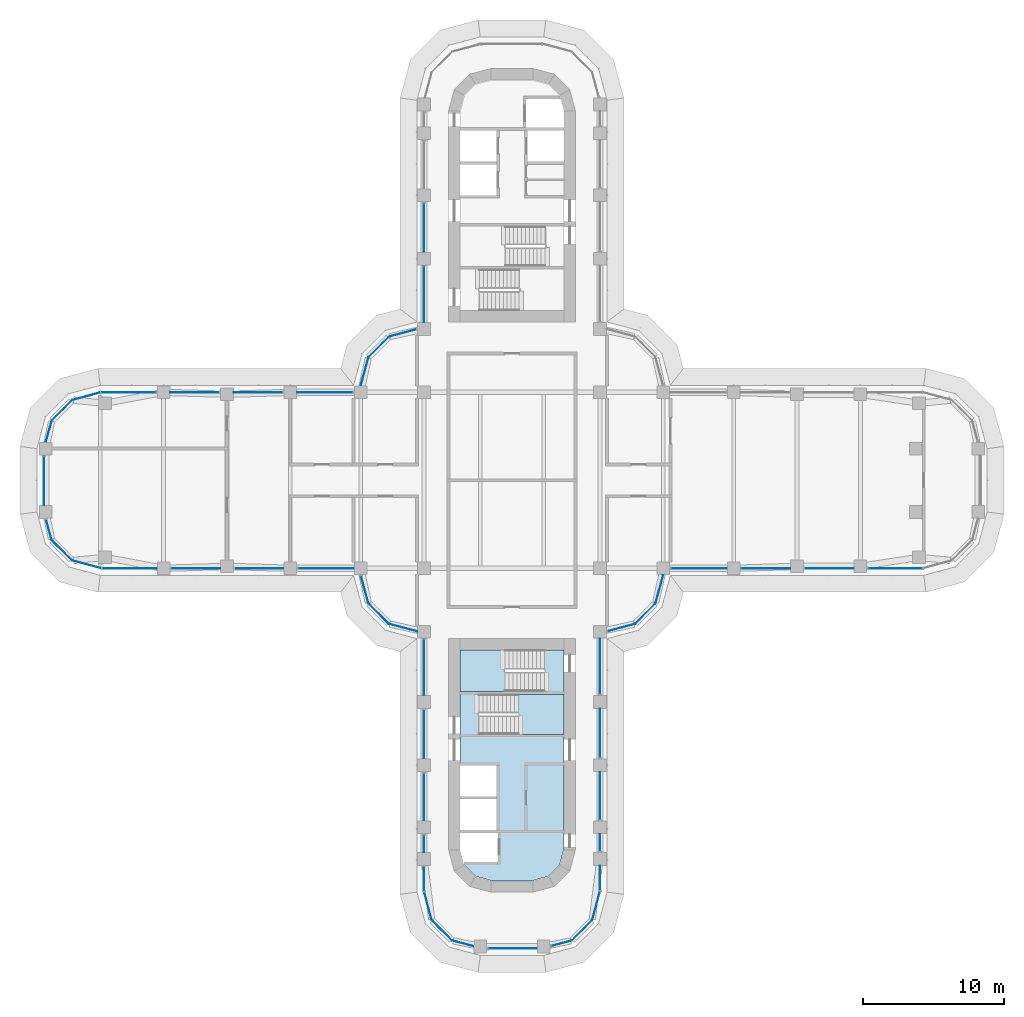
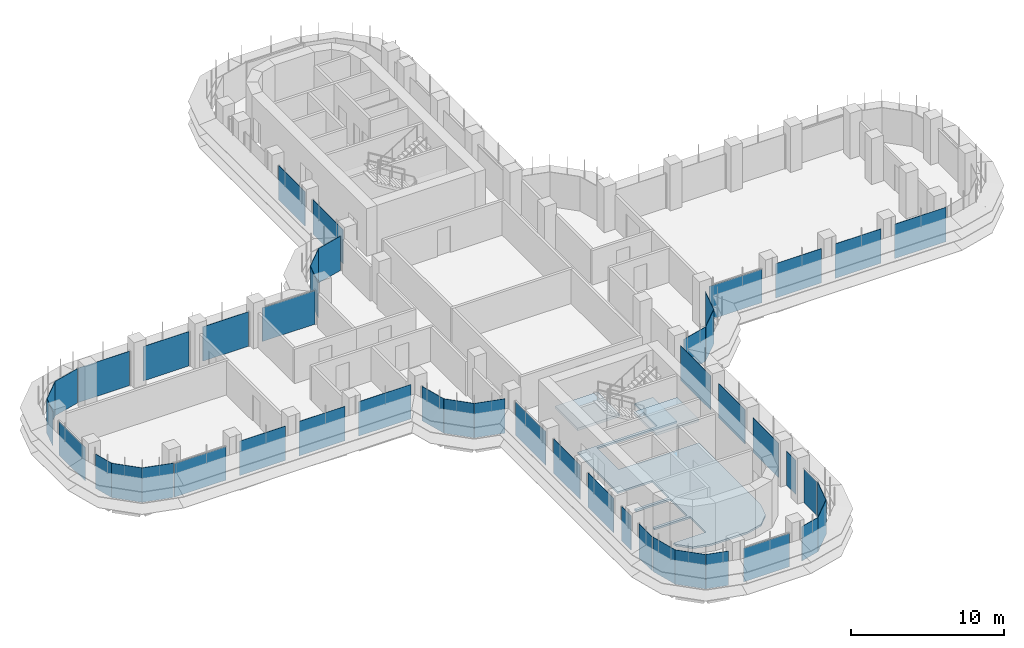
# One storey, part 12 of 21: 47 plates, 3 slabs, 31 elements without a shape of their own.
"""IFC4 building model written with IfcOpenShell, lengths in metres."""

from ifc_helpers import new_model, si_unit, direction, frame, origin, place, context, subcontext, project, spatial, polyline, outline, extrude, source, transform, mapped, material, layer, layer_set, type_object, element, aggregate, save


model = new_model("IFC4")

# Units and contexts
model_context = context("Model", 3, precision=1e-05, world=origin(), true_north=direction((0.0, 1.0)))
body_context = subcontext(model_context, "Body", "Model", "MODEL_VIEW")
ifc_project = project(units=[si_unit("LENGTHUNIT", "METRE"), si_unit("AREAUNIT", "SQUARE_METRE"), si_unit("VOLUMEUNIT", "CUBIC_METRE"), si_unit("PLANEANGLEUNIT", "RADIAN"), si_unit("MASSUNIT", "GRAM", prefix="KILO")], contexts=[model_context])

# Site, building, storey
site_placement = place(None, origin())
site = spatial("IfcSite", under=ifc_project, at=site_placement, CompositionType="ELEMENT")
building_placement = place(site_placement, origin())
building = spatial("IfcBuilding", under=site, at=building_placement, Name="Zarbagh Exchange Tower", CompositionType="ELEMENT")
storey_placement = place(building_placement, frame((0.0, 0.0, 117.0)))
storey = spatial("IfcBuildingStorey", under=building, at=storey_placement, Name="L27", CompositionType="ELEMENT", Elevation=117.0)

# Slab
ifc_material_1 = material(Name="Concrete C40/50", Category="concrete")
ifc_layer_1 = layer(ifc_material_1, 0.14990234375)
ifc_layer_set_1 = layer_set([ifc_layer_1], Name="Core floor slab 150 C40/50")
slab_type_1 = type_object("IfcSlabType", Name="Core floor slab 150 C40/50", PredefinedType="FLOOR", material=ifc_layer_set_1)
slab_1_placement = place(storey_placement, frame((0.0, 0.0, -0.14990234375)))
element("IfcSlab", 1, at=slab_1_placement, inside=storey, type_object=slab_type_1, Name="S17 core S", PredefinedType="FLOOR", context=body_context, shape_type="SweptSolid", body=[
    extrude(outline(polyline([(-2.5859375, -28.130859375), (-3.380859375, -27.3359375), (-3.646484375, -26.3447265625), (-3.444091796875, -27.10009765625), (-1.0, -27.10009765625), (-1.0, -25.050048828125), (-3.699951171875, -25.050048828125), (-3.699951171875, -24.85009765625), (-1.10009765625, -24.85009765625), (-1.10009765625, -22.64990234375), (-3.699951171875, -22.64990234375), (-3.699951171875, -22.449951171875), (-1.10009765625, -22.449951171875), (-1.10009765625, -20.25), (-3.699951171875, -20.25), (-3.699951171875, -15.0), (2.300048828125, -15.0), (2.300048828125, -12.050048828125), (3.699951171875, -12.050048828125), (3.699951171875, -15.199951171875), (-2.35009765625, -15.199951171875), (-2.35009765625, -18.050048828125), (3.699951171875, -18.050048828125), (3.699951171875, -26.144775390625), (3.380859375, -27.3359375), (2.5859375, -28.130859375), (1.394775390625, -28.449951171875), (-1.394775390625, -28.449951171875), (-2.5859375, -28.130859375)])), origin(), (0.0, 0.0, 1.0), 0.14990234375),
])

# Stair, slab
stair_type = type_object("IfcStairType", Name="Exit stair two-flight half-turn", PredefinedType="HALF_TURN_STAIR", material=ifc_material_1)
stair_1_placement = place(storey_placement, origin())
stair_1 = element("IfcStair", 2, at=stair_1_placement, inside=storey, type_object=stair_type, Name="exit stair ST3", PredefinedType="HALF_TURN_STAIR")
ifc_layer_2 = layer(ifc_material_1, 0.199951171875)
ifc_layer_set_2 = layer_set([ifc_layer_2], Name="Stair landing 200 mm")
slab_type_2 = type_object("IfcSlabType", Name="Stair landing 200 mm", PredefinedType="LANDING", material=ifc_layer_set_2)
slab_2_placement = place(storey_placement, frame((0.0, 0.0, 1.699951171875)))
slab_2 = element("IfcSlab", 3, at=slab_2_placement, type_object=slab_type_2, Name="ST3 landing 1", PredefinedType="LANDING", context=body_context, shape_type="SweptSolid", body=[
    extrude(outline(polyline([(0.449951171875, -18.050048828125), (3.699951171875, -18.050048828125), (3.699951171875, -15.199951171875), (0.449951171875, -15.199951171875), (0.449951171875, -18.050048828125)])), origin(), (0.0, 0.0, 1.0), 0.199951171875),
])
aggregate(stair_1, [slab_2])

stair_2_placement = place(storey_placement, origin())
stair_2 = element("IfcStair", 4, at=stair_2_placement, inside=storey, type_object=stair_type, Name="exit stair ST4", PredefinedType="HALF_TURN_STAIR")
slab_3_placement = place(storey_placement, frame((0.0, 0.0, 1.699951171875)))
slab_3 = element("IfcSlab", 5, at=slab_3_placement, type_object=slab_type_2, Name="ST4 landing 1", PredefinedType="LANDING", context=body_context, shape_type="SweptSolid", body=[
    extrude(outline(polyline([(-0.5, -12.050048828125), (-3.699951171875, -12.050048828125), (-3.699951171875, -15.0), (-0.5, -15.0), (-0.5, -12.050048828125)])), origin(), (0.0, 0.0, 1.0), 0.199951171875),
])
aggregate(stair_2, [slab_3])

# Curtain wall, plate
ifc_material_2 = material(Name="Anodised aluminium frame and glazing", Category="aluminium")
curtain_wall_type = type_object("IfcCurtainWallType", Name="CWA Ribbon glazing, lower zones", PredefinedType="NOTDEFINED", material=ifc_material_2)
curtain_wall_1_placement = place(storey_placement, origin())
curtain_wall_1 = element("IfcCurtainWall", 6, at=curtain_wall_1_placement, inside=storey, type_object=curtain_wall_type, Name="CWA01 curtain wall", PredefinedType="NOTDEFINED")
ifc_material_3 = material(Name="Low-e double glazed unit, 6+12+6 mm")
ifc_layer_3 = layer(ifc_material_3, 0.028076171875)
ifc_layer_set_3 = layer_set([ifc_layer_3], Name="PAA Glazing panel, Low-e double glazed unit, 6+12+6 mm")
plate_type = type_object("IfcPlateType", Name="PAA Glazing panel, Low-e double glazed unit, 6+12+6 mm", PredefinedType="CURTAIN_PANEL", material=ifc_layer_set_3)
shared_shape_1 = source(origin(), body_context, "Body", "SweptSolid", [
    extrude(outline(polyline([(0.0, -0.013916015625), (1.494140625, -0.013916015625), (1.494140625, 0.013916015625), (0.0, 0.013916015625), (0.0, -0.013916015625)])), origin(), (0.0, 0.0, 1.0), 2.75),
])
placement = place(storey_placement, origin())
plate_1 = element("IfcPlate", 7, at=placement, type_object=plate_type, Name="CWA01 glazing panel 1.1", PredefinedType="CURTAIN_PANEL", context=body_context, shape_type="MappedRepresentation", body=[
    mapped(shared_shape_1, transform((2.7978515625, -33.08544921875, 0.0), x_axis=(0.965924289636, 0.258824779902, 0.0), y_axis=(-0.258824779902, 0.965924289636, 0.0), z_axis=(0.0, 0.0, 1.0))),
])
aggregate(curtain_wall_1, [plate_1])

curtain_wall_2_placement = place(storey_placement, origin())
curtain_wall_2 = element("IfcCurtainWall", 8, at=curtain_wall_2_placement, inside=storey, type_object=curtain_wall_type, Name="CWA37 curtain wall", PredefinedType="NOTDEFINED")
plate_2 = element("IfcPlate", 9, at=placement, type_object=plate_type, Name="CWA37 glazing panel 1.1", PredefinedType="CURTAIN_PANEL", context=body_context, shape_type="MappedRepresentation", body=[
    mapped(shared_shape_1, transform((-33.08544921875, -2.7978515625, 0.0), x_axis=(0.258824779902, -0.965924289636, 0.0), y_axis=(0.965924289636, 0.258824779902, 0.0), z_axis=(0.0, 0.0, 1.0))),
])
aggregate(curtain_wall_2, [plate_2])

curtain_wall_3_placement = place(storey_placement, origin())
curtain_wall_3 = element("IfcCurtainWall", 10, at=curtain_wall_3_placement, inside=storey, type_object=curtain_wall_type, Name="CWA02 curtain wall", PredefinedType="NOTDEFINED")
shared_shape_2 = source(origin(), body_context, "Body", "SweptSolid", [
    extrude(outline(polyline([(0.0, -0.013916015625), (2.061279296875, -0.013916015625), (2.061279296875, 0.013916015625), (0.0, 0.013916015625), (0.0, -0.013916015625)])), origin(), (0.0, 0.0, 1.0), 2.75),
])
plate_3 = element("IfcPlate", 11, at=placement, type_object=plate_type, Name="CWA02 glazing panel 1.1", PredefinedType="CURTAIN_PANEL", context=body_context, shape_type="MappedRepresentation", body=[
    mapped(shared_shape_2, transform((4.2412109375, -32.69873046875, 0.0), x_axis=(0.707106781187, 0.707106781187, 0.0), y_axis=(-0.707106781187, 0.707106781187, 0.0), z_axis=(0.0, 0.0, 1.0))),
])
aggregate(curtain_wall_3, [plate_3])

curtain_wall_4_placement = place(storey_placement, origin())
curtain_wall_4 = element("IfcCurtainWall", 12, at=curtain_wall_4_placement, inside=storey, type_object=curtain_wall_type, Name="CWA06 curtain wall", PredefinedType="NOTDEFINED")
plate_4 = element("IfcPlate", 13, at=placement, type_object=plate_type, Name="CWA06 glazing panel 1.1", PredefinedType="CURTAIN_PANEL", context=body_context, shape_type="MappedRepresentation", body=[
    mapped(shared_shape_2, transform((8.7412109375, -10.19873046875, 0.0), x_axis=(0.707106781187, 0.707106781187, 0.0), y_axis=(-0.707106781187, 0.707106781187, 0.0), z_axis=(0.0, 0.0, 1.0))),
])
aggregate(curtain_wall_4, [plate_4])

curtain_wall_5_placement = place(storey_placement, origin())
curtain_wall_5 = element("IfcCurtainWall", 14, at=curtain_wall_5_placement, inside=storey, type_object=curtain_wall_type, Name="CWA30 curtain wall", PredefinedType="NOTDEFINED")
plate_5 = element("IfcPlate", 15, at=placement, type_object=plate_type, Name="CWA30 glazing panel 1.1", PredefinedType="CURTAIN_PANEL", context=body_context, shape_type="MappedRepresentation", body=[
    mapped(shared_shape_2, transform((-8.7412109375, 10.19873046875, 0.0), x_axis=(-0.707106781187, -0.707106781187, 0.0), y_axis=(0.707106781187, -0.707106781187, 0.0), z_axis=(0.0, 0.0, 1.0))),
])
aggregate(curtain_wall_5, [plate_5])

curtain_wall_6_placement = place(storey_placement, origin())
curtain_wall_6 = element("IfcCurtainWall", 16, at=curtain_wall_6_placement, inside=storey, type_object=curtain_wall_type, Name="CWA34 curtain wall", PredefinedType="NOTDEFINED")
plate_6 = element("IfcPlate", 17, at=placement, type_object=plate_type, Name="CWA34 glazing panel 1.1", PredefinedType="CURTAIN_PANEL", context=body_context, shape_type="MappedRepresentation", body=[
    mapped(shared_shape_2, transform((-31.2412109375, 5.69873046875, 0.0), x_axis=(-0.707106781187, -0.707106781187, 0.0), y_axis=(0.707106781187, -0.707106781187, 0.0), z_axis=(0.0, 0.0, 1.0))),
])
aggregate(curtain_wall_6, [plate_6])

curtain_wall_7_placement = place(storey_placement, origin())
curtain_wall_7 = element("IfcCurtainWall", 18, at=curtain_wall_7_placement, inside=storey, type_object=curtain_wall_type, Name="CWA38 curtain wall", PredefinedType="NOTDEFINED")
plate_7 = element("IfcPlate", 19, at=placement, type_object=plate_type, Name="CWA38 glazing panel 1.1", PredefinedType="CURTAIN_PANEL", context=body_context, shape_type="MappedRepresentation", body=[
    mapped(shared_shape_2, transform((-32.69873046875, -4.2412109375, 0.0), x_axis=(0.707106781187, -0.707106781187, 0.0), y_axis=(0.707106781187, 0.707106781187, 0.0), z_axis=(0.0, 0.0, 1.0))),
])
aggregate(curtain_wall_7, [plate_7])

curtain_wall_8_placement = place(storey_placement, origin())
curtain_wall_8 = element("IfcCurtainWall", 20, at=curtain_wall_8_placement, inside=storey, type_object=curtain_wall_type, Name="CWA42 curtain wall", PredefinedType="NOTDEFINED")
plate_8 = element("IfcPlate", 21, at=placement, type_object=plate_type, Name="CWA42 glazing panel 1.1", PredefinedType="CURTAIN_PANEL", context=body_context, shape_type="MappedRepresentation", body=[
    mapped(shared_shape_2, transform((-10.19873046875, -8.7412109375, 0.0), x_axis=(0.707106781187, -0.707106781187, 0.0), y_axis=(0.707106781187, 0.707106781187, 0.0), z_axis=(0.0, 0.0, 1.0))),
])
aggregate(curtain_wall_8, [plate_8])

curtain_wall_9_placement = place(storey_placement, origin())
curtain_wall_9 = element("IfcCurtainWall", 22, at=curtain_wall_9_placement, inside=storey, type_object=curtain_wall_type, Name="CWA46 curtain wall", PredefinedType="NOTDEFINED")
plate_9 = element("IfcPlate", 23, at=placement, type_object=plate_type, Name="CWA46 glazing panel 1.1", PredefinedType="CURTAIN_PANEL", context=body_context, shape_type="MappedRepresentation", body=[
    mapped(shared_shape_2, transform((-5.69873046875, -31.2412109375, 0.0), x_axis=(0.707106781187, -0.707106781187, 0.0), y_axis=(0.707106781187, 0.707106781187, 0.0), z_axis=(0.0, 0.0, 1.0))),
])
aggregate(curtain_wall_9, [plate_9])

curtain_wall_10_placement = place(storey_placement, origin())
curtain_wall_10 = element("IfcCurtainWall", 24, at=curtain_wall_10_placement, inside=storey, type_object=curtain_wall_type, Name="CWA03 curtain wall", PredefinedType="NOTDEFINED")
shared_shape_3 = source(origin(), body_context, "Body", "SweptSolid", [
    extrude(outline(polyline([(0.0, -0.013916015625), (2.129638671875, -0.013916015625), (2.129638671875, 0.013916015625), (0.0, 0.013916015625), (0.0, -0.013916015625)])), origin(), (0.0, 0.0, 1.0), 2.75),
])
plate_10 = element("IfcPlate", 25, at=placement, type_object=plate_type, Name="CWA03 glazing panel 1.1", PredefinedType="CURTAIN_PANEL", context=body_context, shape_type="MappedRepresentation", body=[
    mapped(shared_shape_3, transform((5.69873046875, -31.2412109375, 0.0), x_axis=(0.258824779902, 0.965924289636, 0.0), y_axis=(-0.965924289636, 0.258824779902, 0.0), z_axis=(0.0, 0.0, 1.0))),
])
aggregate(curtain_wall_10, [plate_10])

curtain_wall_11_placement = place(storey_placement, origin())
curtain_wall_11 = element("IfcCurtainWall", 26, at=curtain_wall_11_placement, inside=storey, type_object=curtain_wall_type, Name="CWA39 curtain wall", PredefinedType="NOTDEFINED")
plate_11 = element("IfcPlate", 27, at=placement, type_object=plate_type, Name="CWA39 glazing panel 1.1", PredefinedType="CURTAIN_PANEL", context=body_context, shape_type="MappedRepresentation", body=[
    mapped(shared_shape_3, transform((-31.2412109375, -5.69873046875, 0.0), x_axis=(0.965924289636, -0.258824779902, 0.0), y_axis=(0.258824779902, 0.965924289636, 0.0), z_axis=(0.0, 0.0, 1.0))),
])
aggregate(curtain_wall_11, [plate_11])

# Curtain wall, plates
curtain_wall_12_placement = place(storey_placement, origin())
curtain_wall_12 = element("IfcCurtainWall", 28, at=curtain_wall_12_placement, inside=storey, type_object=curtain_wall_type, Name="CWA04 curtain wall", PredefinedType="NOTDEFINED")
shared_shape_4 = source(origin(), body_context, "Body", "SweptSolid", [
    extrude(outline(polyline([(0.0, -0.013916015625), (1.734130859375, -0.013916015625), (1.734130859375, 0.013916015625), (0.0, 0.013916015625), (0.0, -0.013916015625)])), origin(), (0.0, 0.0, 1.0), 2.68994140625),
])
plate_12 = element("IfcPlate", 29, at=placement, type_object=plate_type, Name="CWA04 glazing panel 1.1", PredefinedType="CURTAIN_PANEL", context=body_context, shape_type="MappedRepresentation", body=[
    mapped(shared_shape_4, transform((6.25, -29.124267578125, 0.0), x_axis=(0.0, 1.0, 0.0), y_axis=(-1.0, 0.0, 0.0), z_axis=(0.0, 0.0, 1.0))),
])
shared_shape_5 = source(origin(), body_context, "Body", "SweptSolid", [
    extrude(outline(polyline([(0.0, -0.013916015625), (1.2099609375, -0.013916015625), (1.2099609375, 0.013916015625), (0.0, 0.013916015625), (0.0, -0.013916015625)])), origin(), (0.0, 0.0, 1.0), 2.75),
])
plate_13 = element("IfcPlate", 30, at=placement, type_object=plate_type, Name="CWA04 glazing panel 2.1", PredefinedType="CURTAIN_PANEL", context=body_context, shape_type="MappedRepresentation", body=[
    mapped(shared_shape_5, transform((6.25, -26.349853515625, 0.0), x_axis=(0.0, 1.0, 0.0), y_axis=(-1.0, 0.0, 0.0), z_axis=(0.0, 0.0, 1.0))),
])

# Curtain wall, plate
curtain_wall_13_placement = place(storey_placement, origin())
curtain_wall_13 = element("IfcCurtainWall", 31, at=curtain_wall_13_placement, inside=storey, type_object=curtain_wall_type, Name="CWA44 curtain wall", PredefinedType="NOTDEFINED")
plate_14 = element("IfcPlate", 32, at=placement, type_object=plate_type, Name="CWA44 glazing panel 4.1", PredefinedType="CURTAIN_PANEL", context=body_context, shape_type="MappedRepresentation", body=[
    mapped(shared_shape_5, transform((-6.25, -25.199951171875, 0.0), x_axis=(0.0, -1.0, 0.0), y_axis=(1.0, 0.0, 0.0), z_axis=(0.0, 0.0, 1.0))),
])

# Plate
shared_shape_6 = source(origin(), body_context, "Body", "SweptSolid", [
    extrude(outline(polyline([(0.0, -0.013916015625), (3.360107421875, -0.013916015625), (3.360107421875, 0.013916015625), (0.0, 0.013916015625), (0.0, -0.013916015625)])), origin(), (0.0, 0.0, 1.0), 2.75),
])
plate_15 = element("IfcPlate", 33, at=placement, type_object=plate_type, Name="CWA04 glazing panel 3.1", PredefinedType="CURTAIN_PANEL", context=body_context, shape_type="MappedRepresentation", body=[
    mapped(shared_shape_6, transform((6.25, -24.099853515625, 0.0), x_axis=(0.0, 1.0, 0.0), y_axis=(-1.0, 0.0, 0.0), z_axis=(0.0, 0.0, 1.0))),
])

plate_16 = element("IfcPlate", 34, at=placement, type_object=plate_type, Name="CWA44 glazing panel 3.1", PredefinedType="CURTAIN_PANEL", context=body_context, shape_type="MappedRepresentation", body=[
    mapped(shared_shape_6, transform((-6.25, -20.800048828125, 0.0), x_axis=(0.0, -1.0, 0.0), y_axis=(1.0, 0.0, 0.0), z_axis=(0.0, 0.0, 1.0))),
])

shared_shape_7 = source(origin(), body_context, "Body", "SweptSolid", [
    extrude(outline(polyline([(0.0, -0.013916015625), (3.4599609375, -0.013916015625), (3.4599609375, 0.013916015625), (0.0, 0.013916015625), (0.0, -0.013916015625)])), origin(), (0.0, 0.0, 1.0), 2.75),
])
plate_17 = element("IfcPlate", 35, at=placement, type_object=plate_type, Name="CWA04 glazing panel 4.1", PredefinedType="CURTAIN_PANEL", context=body_context, shape_type="MappedRepresentation", body=[
    mapped(shared_shape_7, transform((6.25, -19.699951171875, 0.0), x_axis=(0.0, 1.0, 0.0), y_axis=(-1.0, 0.0, 0.0), z_axis=(0.0, 0.0, 1.0))),
])

# Curtain wall, plates
curtain_wall_14_placement = place(storey_placement, origin())
curtain_wall_14 = element("IfcCurtainWall", 36, at=curtain_wall_14_placement, inside=storey, type_object=curtain_wall_type, Name="CWA08 curtain wall", PredefinedType="NOTDEFINED")
plate_18 = element("IfcPlate", 37, at=placement, type_object=plate_type, Name="CWA08 glazing panel 2.1", PredefinedType="CURTAIN_PANEL", context=body_context, shape_type="MappedRepresentation", body=[
    mapped(shared_shape_7, transform((16.300048828125, -6.25, 0.0), x_axis=(1.0, 0.0, 0.0), y_axis=(0.0, 1.0, 0.0), z_axis=(0.0, 0.0, 1.0))),
])
plate_19 = element("IfcPlate", 38, at=placement, type_object=plate_type, Name="CWA08 glazing panel 3.1", PredefinedType="CURTAIN_PANEL", context=body_context, shape_type="MappedRepresentation", body=[
    mapped(shared_shape_7, transform((20.800048828125, -6.25, 0.0), x_axis=(1.0, 0.0, 0.0), y_axis=(0.0, 1.0, 0.0), z_axis=(0.0, 0.0, 1.0))),
])

# Curtain wall, plate
curtain_wall_15_placement = place(storey_placement, origin())
curtain_wall_15 = element("IfcCurtainWall", 39, at=curtain_wall_15_placement, inside=storey, type_object=curtain_wall_type, Name="CWA56 curtain wall", PredefinedType="NOTDEFINED")
plate_20 = element("IfcPlate", 40, at=placement, type_object=plate_type, Name="CWA56 glazing panel 3.1", PredefinedType="CURTAIN_PANEL", context=body_context, shape_type="MappedRepresentation", body=[
    mapped(shared_shape_7, transform((-6.25, 19.699951171875, 0.0), x_axis=(0.0, -1.0, 0.0), y_axis=(1.0, 0.0, 0.0), z_axis=(0.0, 0.0, 1.0))),
])

# Curtain wall, plates
curtain_wall_16_placement = place(storey_placement, origin())
curtain_wall_16 = element("IfcCurtainWall", 41, at=curtain_wall_16_placement, inside=storey, type_object=curtain_wall_type, Name="CWA32 curtain wall", PredefinedType="NOTDEFINED")
plate_21 = element("IfcPlate", 42, at=placement, type_object=plate_type, Name="CWA32 glazing panel 2.1", PredefinedType="CURTAIN_PANEL", context=body_context, shape_type="MappedRepresentation", body=[
    mapped(shared_shape_7, transform((-16.300048828125, 6.25, 0.0), x_axis=(-1.0, 0.0, 0.0), y_axis=(0.0, -1.0, 0.0), z_axis=(0.0, 0.0, 1.0))),
])
plate_22 = element("IfcPlate", 43, at=placement, type_object=plate_type, Name="CWA32 glazing panel 3.1", PredefinedType="CURTAIN_PANEL", context=body_context, shape_type="MappedRepresentation", body=[
    mapped(shared_shape_7, transform((-20.800048828125, 6.25, 0.0), x_axis=(-1.0, 0.0, 0.0), y_axis=(0.0, -1.0, 0.0), z_axis=(0.0, 0.0, 1.0))),
])

curtain_wall_17_placement = place(storey_placement, origin())
curtain_wall_17 = element("IfcCurtainWall", 44, at=curtain_wall_17_placement, inside=storey, type_object=curtain_wall_type, Name="CWA40 curtain wall", PredefinedType="NOTDEFINED")
plate_23 = element("IfcPlate", 45, at=placement, type_object=plate_type, Name="CWA40 glazing panel 2.1", PredefinedType="CURTAIN_PANEL", context=body_context, shape_type="MappedRepresentation", body=[
    mapped(shared_shape_7, transform((-24.199951171875, -6.25, 0.0), x_axis=(1.0, 0.0, 0.0), y_axis=(0.0, 1.0, 0.0), z_axis=(0.0, 0.0, 1.0))),
])
plate_24 = element("IfcPlate", 46, at=placement, type_object=plate_type, Name="CWA40 glazing panel 3.1", PredefinedType="CURTAIN_PANEL", context=body_context, shape_type="MappedRepresentation", body=[
    mapped(shared_shape_7, transform((-19.699951171875, -6.25, 0.0), x_axis=(1.0, 0.0, 0.0), y_axis=(0.0, 1.0, 0.0), z_axis=(0.0, 0.0, 1.0))),
])

# Plate
plate_25 = element("IfcPlate", 47, at=placement, type_object=plate_type, Name="CWA44 glazing panel 2.1", PredefinedType="CURTAIN_PANEL", context=body_context, shape_type="MappedRepresentation", body=[
    mapped(shared_shape_7, transform((-6.25, -16.300048828125, 0.0), x_axis=(0.0, -1.0, 0.0), y_axis=(1.0, 0.0, 0.0), z_axis=(0.0, 0.0, 1.0))),
])

shared_shape_8 = source(origin(), body_context, "Body", "SweptSolid", [
    extrude(outline(polyline([(0.0, -0.013916015625), (3.9599609375, -0.013916015625), (3.9599609375, 0.013916015625), (0.0, 0.013916015625), (0.0, -0.013916015625)])), origin(), (0.0, 0.0, 1.0), 2.75),
])
plate_26 = element("IfcPlate", 48, at=placement, type_object=plate_type, Name="CWA04 glazing panel 5.1", PredefinedType="CURTAIN_PANEL", context=body_context, shape_type="MappedRepresentation", body=[
    mapped(shared_shape_8, transform((6.25, -15.199951171875, 0.0), x_axis=(0.0, 1.0, 0.0), y_axis=(-1.0, 0.0, 0.0), z_axis=(0.0, 0.0, 1.0))),
])

aggregate(curtain_wall_12, [plate_12, plate_13, plate_15, plate_17, plate_26])

plate_27 = element("IfcPlate", 49, at=placement, type_object=plate_type, Name="CWA56 glazing panel 4.1", PredefinedType="CURTAIN_PANEL", context=body_context, shape_type="MappedRepresentation", body=[
    mapped(shared_shape_8, transform((-6.25, 15.199951171875, 0.0), x_axis=(0.0, -1.0, 0.0), y_axis=(1.0, 0.0, 0.0), z_axis=(0.0, 0.0, 1.0))),
])

aggregate(curtain_wall_15, [plate_20, plate_27])

plate_28 = element("IfcPlate", 50, at=placement, type_object=plate_type, Name="CWA40 glazing panel 4.1", PredefinedType="CURTAIN_PANEL", context=body_context, shape_type="MappedRepresentation", body=[
    mapped(shared_shape_8, transform((-15.199951171875, -6.25, 0.0), x_axis=(1.0, 0.0, 0.0), y_axis=(0.0, 1.0, 0.0), z_axis=(0.0, 0.0, 1.0))),
])

# Curtain wall, plate
curtain_wall_18_placement = place(storey_placement, origin())
curtain_wall_18 = element("IfcCurtainWall", 51, at=curtain_wall_18_placement, inside=storey, type_object=curtain_wall_type, Name="CWA05 curtain wall", PredefinedType="NOTDEFINED")
shared_shape_9 = source(origin(), body_context, "Body", "SweptSolid", [
    extrude(outline(polyline([(0.0, -0.013916015625), (2.01171875, -0.013916015625), (2.01171875, 0.013916015625), (0.0, 0.013916015625), (0.0, -0.013916015625)])), origin(), (0.0, 0.0, 1.0), 2.75),
])
plate_29 = element("IfcPlate", 52, at=placement, type_object=plate_type, Name="CWA05 glazing panel 1.1", PredefinedType="CURTAIN_PANEL", context=body_context, shape_type="MappedRepresentation", body=[
    mapped(shared_shape_9, transform((6.7978515625, -10.719482421875, 0.0), x_axis=(0.965924289636, 0.258824779902, 0.0), y_axis=(-0.258824779902, 0.965924289636, 0.0), z_axis=(0.0, 0.0, 1.0))),
])
aggregate(curtain_wall_18, [plate_29])

curtain_wall_19_placement = place(storey_placement, origin())
curtain_wall_19 = element("IfcCurtainWall", 53, at=curtain_wall_19_placement, inside=storey, type_object=curtain_wall_type, Name="CWA29 curtain wall", PredefinedType="NOTDEFINED")
plate_30 = element("IfcPlate", 54, at=placement, type_object=plate_type, Name="CWA29 glazing panel 1.1", PredefinedType="CURTAIN_PANEL", context=body_context, shape_type="MappedRepresentation", body=[
    mapped(shared_shape_9, transform((-6.7978515625, 10.719482421875, 0.0), x_axis=(-0.965924289636, -0.258824779902, 0.0), y_axis=(0.258824779902, -0.965924289636, 0.0), z_axis=(0.0, 0.0, 1.0))),
])
aggregate(curtain_wall_19, [plate_30])

curtain_wall_20_placement = place(storey_placement, origin())
curtain_wall_20 = element("IfcCurtainWall", 55, at=curtain_wall_20_placement, inside=storey, type_object=curtain_wall_type, Name="CWA41 curtain wall", PredefinedType="NOTDEFINED")
plate_31 = element("IfcPlate", 56, at=placement, type_object=plate_type, Name="CWA41 glazing panel 1.1", PredefinedType="CURTAIN_PANEL", context=body_context, shape_type="MappedRepresentation", body=[
    mapped(shared_shape_9, transform((-10.719482421875, -6.7978515625, 0.0), x_axis=(0.258824779902, -0.965924289636, 0.0), y_axis=(0.965924289636, 0.258824779902, 0.0), z_axis=(0.0, 0.0, 1.0))),
])
aggregate(curtain_wall_20, [plate_31])

curtain_wall_21_placement = place(storey_placement, origin())
curtain_wall_21 = element("IfcCurtainWall", 57, at=curtain_wall_21_placement, inside=storey, type_object=curtain_wall_type, Name="CWA07 curtain wall", PredefinedType="NOTDEFINED")
shared_shape_10 = source(origin(), body_context, "Body", "SweptSolid", [
    extrude(outline(polyline([(0.0, -0.013916015625), (2.07177734375, -0.013916015625), (2.07177734375, 0.013916015625), (0.0, 0.013916015625), (0.0, -0.013916015625)])), origin(), (0.0, 0.0, 1.0), 2.75),
])
plate_32 = element("IfcPlate", 58, at=placement, type_object=plate_type, Name="CWA07 glazing panel 1.1", PredefinedType="CURTAIN_PANEL", context=body_context, shape_type="MappedRepresentation", body=[
    mapped(shared_shape_10, transform((10.19873046875, -8.7412109375, 0.0), x_axis=(0.258824779902, 0.965924289636, 0.0), y_axis=(-0.965924289636, 0.258824779902, 0.0), z_axis=(0.0, 0.0, 1.0))),
])
aggregate(curtain_wall_21, [plate_32])

curtain_wall_22_placement = place(storey_placement, origin())
curtain_wall_22 = element("IfcCurtainWall", 59, at=curtain_wall_22_placement, inside=storey, type_object=curtain_wall_type, Name="CWA31 curtain wall", PredefinedType="NOTDEFINED")
plate_33 = element("IfcPlate", 60, at=placement, type_object=plate_type, Name="CWA31 glazing panel 1.1", PredefinedType="CURTAIN_PANEL", context=body_context, shape_type="MappedRepresentation", body=[
    mapped(shared_shape_10, transform((-10.19873046875, 8.7412109375, 0.0), x_axis=(-0.258824779902, -0.965924289636, 0.0), y_axis=(0.965924289636, -0.258824779902, 0.0), z_axis=(0.0, 0.0, 1.0))),
])
aggregate(curtain_wall_22, [plate_33])

curtain_wall_23_placement = place(storey_placement, origin())
curtain_wall_23 = element("IfcCurtainWall", 61, at=curtain_wall_23_placement, inside=storey, type_object=curtain_wall_type, Name="CWA43 curtain wall", PredefinedType="NOTDEFINED")
plate_34 = element("IfcPlate", 62, at=placement, type_object=plate_type, Name="CWA43 glazing panel 1.1", PredefinedType="CURTAIN_PANEL", context=body_context, shape_type="MappedRepresentation", body=[
    mapped(shared_shape_10, transform((-8.7412109375, -10.19873046875, 0.0), x_axis=(0.965924289636, -0.258824779902, 0.0), y_axis=(0.258824779902, 0.965924289636, 0.0), z_axis=(0.0, 0.0, 1.0))),
])
aggregate(curtain_wall_23, [plate_34])

# Plate
shared_shape_11 = source(origin(), body_context, "Body", "SweptSolid", [
    extrude(outline(polyline([(0.0, -0.013916015625), (3.9599609375, -0.013916015625), (3.9599609375, 0.013916015625), (0.0, 0.013916015625), (0.0, -0.013916015625)])), origin(), (0.0, 0.0, 1.0), 2.68994140625),
])
plate_35 = element("IfcPlate", 63, at=placement, type_object=plate_type, Name="CWA08 glazing panel 1.1", PredefinedType="CURTAIN_PANEL", context=body_context, shape_type="MappedRepresentation", body=[
    mapped(shared_shape_11, transform((11.300048828125, -6.25, 0.0), x_axis=(1.0, 0.0, 0.0), y_axis=(0.0, 1.0, 0.0), z_axis=(0.0, 0.0, 1.0))),
])

plate_36 = element("IfcPlate", 64, at=placement, type_object=plate_type, Name="CWA32 glazing panel 1.1", PredefinedType="CURTAIN_PANEL", context=body_context, shape_type="MappedRepresentation", body=[
    mapped(shared_shape_11, transform((-11.300048828125, 6.25, 0.0), x_axis=(-1.0, 0.0, 0.0), y_axis=(0.0, -1.0, 0.0), z_axis=(0.0, 0.0, 1.0))),
])

plate_37 = element("IfcPlate", 65, at=placement, type_object=plate_type, Name="CWA44 glazing panel 1.1", PredefinedType="CURTAIN_PANEL", context=body_context, shape_type="MappedRepresentation", body=[
    mapped(shared_shape_11, transform((-6.25, -11.300048828125, 0.0), x_axis=(0.0, -1.0, 0.0), y_axis=(1.0, 0.0, 0.0), z_axis=(0.0, 0.0, 1.0))),
])

shared_shape_12 = source(origin(), body_context, "Body", "SweptSolid", [
    extrude(outline(polyline([(0.0, -0.013916015625), (3.884033203125, -0.013916015625), (3.884033203125, 0.013916015625), (0.0, 0.013916015625), (0.0, -0.013916015625)])), origin(), (0.0, 0.0, 1.0), 2.75),
])
plate_38 = element("IfcPlate", 66, at=placement, type_object=plate_type, Name="CWA08 glazing panel 4.1", PredefinedType="CURTAIN_PANEL", context=body_context, shape_type="MappedRepresentation", body=[
    mapped(shared_shape_12, transform((25.300048828125, -6.25, 0.0), x_axis=(1.0, 0.0, 0.0), y_axis=(0.0, 1.0, 0.0), z_axis=(0.0, 0.0, 1.0))),
])

aggregate(curtain_wall_14, [plate_35, plate_18, plate_19, plate_38])

plate_39 = element("IfcPlate", 67, at=placement, type_object=plate_type, Name="CWA32 glazing panel 4.1", PredefinedType="CURTAIN_PANEL", context=body_context, shape_type="MappedRepresentation", body=[
    mapped(shared_shape_12, transform((-25.300048828125, 6.25, 0.0), x_axis=(-1.0, 0.0, 0.0), y_axis=(0.0, -1.0, 0.0), z_axis=(0.0, 0.0, 1.0))),
])

aggregate(curtain_wall_16, [plate_36, plate_21, plate_22, plate_39])

# Curtain wall, plate
curtain_wall_24_placement = place(storey_placement, origin())
curtain_wall_24 = element("IfcCurtainWall", 68, at=curtain_wall_24_placement, inside=storey, type_object=curtain_wall_type, Name="CWA33 curtain wall", PredefinedType="NOTDEFINED")
shared_shape_13 = source(origin(), body_context, "Body", "SweptSolid", [
    extrude(outline(polyline([(0.0, -0.013916015625), (2.069580078125, -0.013916015625), (2.069580078125, 0.013916015625), (0.0, 0.013916015625), (0.0, -0.013916015625)])), origin(), (0.0, 0.0, 1.0), 2.75),
])
plate_40 = element("IfcPlate", 69, at=placement, type_object=plate_type, Name="CWA33 glazing panel 1.1", PredefinedType="CURTAIN_PANEL", context=body_context, shape_type="MappedRepresentation", body=[
    mapped(shared_shape_13, transform((-29.2421875, 6.234375, 0.0), x_axis=(-0.965924289636, -0.258824779902, 0.0), y_axis=(0.258824779902, -0.965924289636, 0.0), z_axis=(0.0, 0.0, 1.0))),
])
aggregate(curtain_wall_24, [plate_40])

curtain_wall_25_placement = place(storey_placement, origin())
curtain_wall_25 = element("IfcCurtainWall", 70, at=curtain_wall_25_placement, inside=storey, type_object=curtain_wall_type, Name="CWA45 curtain wall", PredefinedType="NOTDEFINED")
plate_41 = element("IfcPlate", 71, at=placement, type_object=plate_type, Name="CWA45 glazing panel 1.1", PredefinedType="CURTAIN_PANEL", context=body_context, shape_type="MappedRepresentation", body=[
    mapped(shared_shape_13, transform((-6.234375, -29.2421875, 0.0), x_axis=(0.258824779902, -0.965924289636, 0.0), y_axis=(0.965924289636, 0.258824779902, 0.0), z_axis=(0.0, 0.0, 1.0))),
])
aggregate(curtain_wall_25, [plate_41])

curtain_wall_26_placement = place(storey_placement, origin())
curtain_wall_26 = element("IfcCurtainWall", 72, at=curtain_wall_26_placement, inside=storey, type_object=curtain_wall_type, Name="CWA35 curtain wall", PredefinedType="NOTDEFINED")
shared_shape_14 = source(origin(), body_context, "Body", "SweptSolid", [
    extrude(outline(polyline([(0.0, -0.013916015625), (1.55419921875, -0.013916015625), (1.55419921875, 0.013916015625), (0.0, 0.013916015625), (0.0, -0.013916015625)])), origin(), (0.0, 0.0, 1.0), 2.75),
])
plate_42 = element("IfcPlate", 73, at=placement, type_object=plate_type, Name="CWA35 glazing panel 1.1", PredefinedType="CURTAIN_PANEL", context=body_context, shape_type="MappedRepresentation", body=[
    mapped(shared_shape_14, transform((-32.69873046875, 4.2412109375, 0.0), x_axis=(-0.258824779902, -0.965924289636, 0.0), y_axis=(0.965924289636, -0.258824779902, 0.0), z_axis=(0.0, 0.0, 1.0))),
])
aggregate(curtain_wall_26, [plate_42])

curtain_wall_27_placement = place(storey_placement, origin())
curtain_wall_27 = element("IfcCurtainWall", 74, at=curtain_wall_27_placement, inside=storey, type_object=curtain_wall_type, Name="CWA47 curtain wall", PredefinedType="NOTDEFINED")
plate_43 = element("IfcPlate", 75, at=placement, type_object=plate_type, Name="CWA47 glazing panel 1.1", PredefinedType="CURTAIN_PANEL", context=body_context, shape_type="MappedRepresentation", body=[
    mapped(shared_shape_14, transform((-4.2412109375, -32.69873046875, 0.0), x_axis=(0.965924289636, -0.258824779902, 0.0), y_axis=(0.258824779902, 0.965924289636, 0.0), z_axis=(0.0, 0.0, 1.0))),
])
aggregate(curtain_wall_27, [plate_43])

curtain_wall_28_placement = place(storey_placement, origin())
curtain_wall_28 = element("IfcCurtainWall", 76, at=curtain_wall_28_placement, inside=storey, type_object=curtain_wall_type, Name="CWA36 curtain wall", PredefinedType="NOTDEFINED")
shared_shape_15 = source(origin(), body_context, "Body", "SweptSolid", [
    extrude(outline(polyline([(0.0, -0.013916015625), (3.4599609375, -0.013916015625), (3.4599609375, 0.013916015625), (0.0, 0.013916015625), (0.0, -0.013916015625)])), origin(), (0.0, 0.0, 1.0), 2.68994140625),
])
plate_44 = element("IfcPlate", 77, at=placement, type_object=plate_type, Name="CWA36 glazing panel 1.1", PredefinedType="CURTAIN_PANEL", context=body_context, shape_type="MappedRepresentation", body=[
    mapped(shared_shape_15, transform((-33.25, 1.699951171875, 0.0), x_axis=(0.0, -1.0, 0.0), y_axis=(1.0, 0.0, 0.0), z_axis=(0.0, 0.0, 1.0))),
])
aggregate(curtain_wall_28, [plate_44])

curtain_wall_29_placement = place(storey_placement, origin())
curtain_wall_29 = element("IfcCurtainWall", 78, at=curtain_wall_29_placement, inside=storey, type_object=curtain_wall_type, Name="CWA48 curtain wall", PredefinedType="NOTDEFINED")
plate_45 = element("IfcPlate", 79, at=placement, type_object=plate_type, Name="CWA48 glazing panel 1.1", PredefinedType="CURTAIN_PANEL", context=body_context, shape_type="MappedRepresentation", body=[
    mapped(shared_shape_15, transform((-1.699951171875, -33.25, 0.0), x_axis=(1.0, 0.0, 0.0), y_axis=(0.0, 1.0, 0.0), z_axis=(0.0, 0.0, 1.0))),
])
aggregate(curtain_wall_29, [plate_45])

# Plate
shared_shape_16 = source(origin(), body_context, "Body", "SweptSolid", [
    extrude(outline(polyline([(0.0, -0.013916015625), (3.88427734375, -0.013916015625), (3.88427734375, 0.013916015625), (0.0, 0.013916015625), (0.0, -0.013916015625)])), origin(), (0.0, 0.0, 1.0), 2.68994140625),
])
plate_46 = element("IfcPlate", 80, at=placement, type_object=plate_type, Name="CWA40 glazing panel 1.1", PredefinedType="CURTAIN_PANEL", context=body_context, shape_type="MappedRepresentation", body=[
    mapped(shared_shape_16, transform((-29.124267578125, -6.25, 0.0), x_axis=(1.0, 0.0, 0.0), y_axis=(0.0, 1.0, 0.0), z_axis=(0.0, 0.0, 1.0))),
])

aggregate(curtain_wall_17, [plate_46, plate_23, plate_24, plate_28])

shared_shape_17 = source(origin(), body_context, "Body", "SweptSolid", [
    extrude(outline(polyline([(0.0, -0.013916015625), (1.734130859375, -0.013916015625), (1.734130859375, 0.013916015625), (0.0, 0.013916015625), (0.0, -0.013916015625)])), origin(), (0.0, 0.0, 1.0), 2.75),
])
plate_47 = element("IfcPlate", 81, at=placement, type_object=plate_type, Name="CWA44 glazing panel 5.1", PredefinedType="CURTAIN_PANEL", context=body_context, shape_type="MappedRepresentation", body=[
    mapped(shared_shape_17, transform((-6.25, -27.449951171875, 0.0), x_axis=(0.0, -1.0, 0.0), y_axis=(1.0, 0.0, 0.0), z_axis=(0.0, 0.0, 1.0))),
])

aggregate(curtain_wall_13, [plate_37, plate_25, plate_16, plate_14, plate_47])

save(model, "model.ifc")
